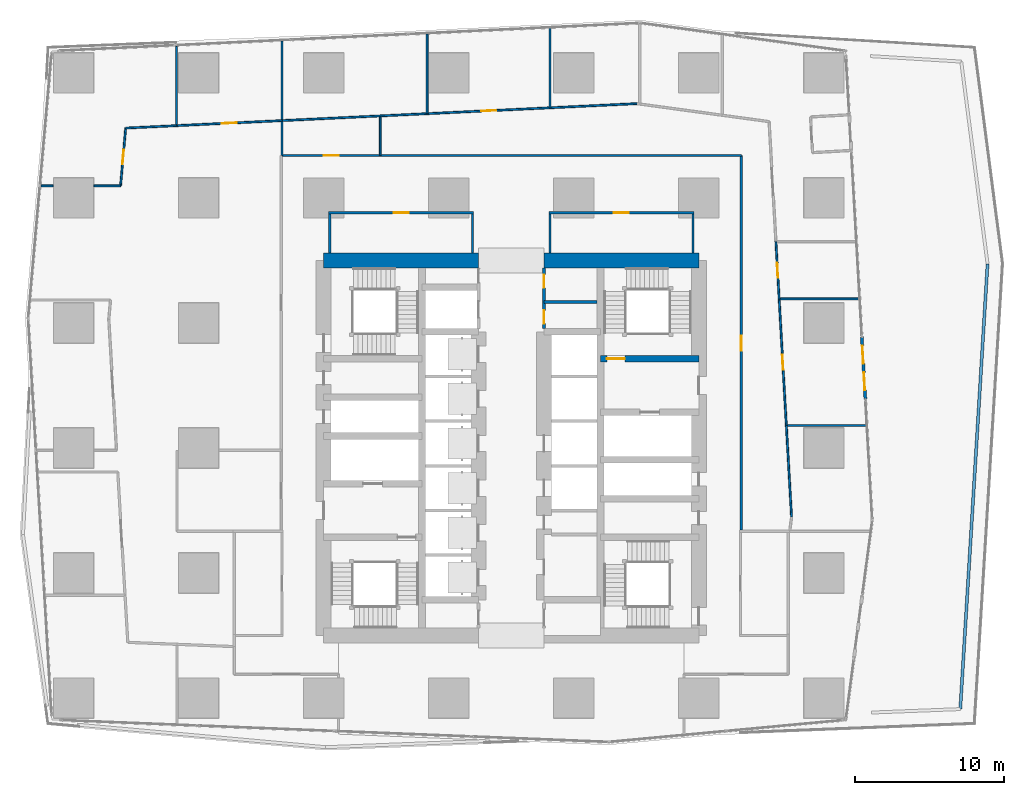
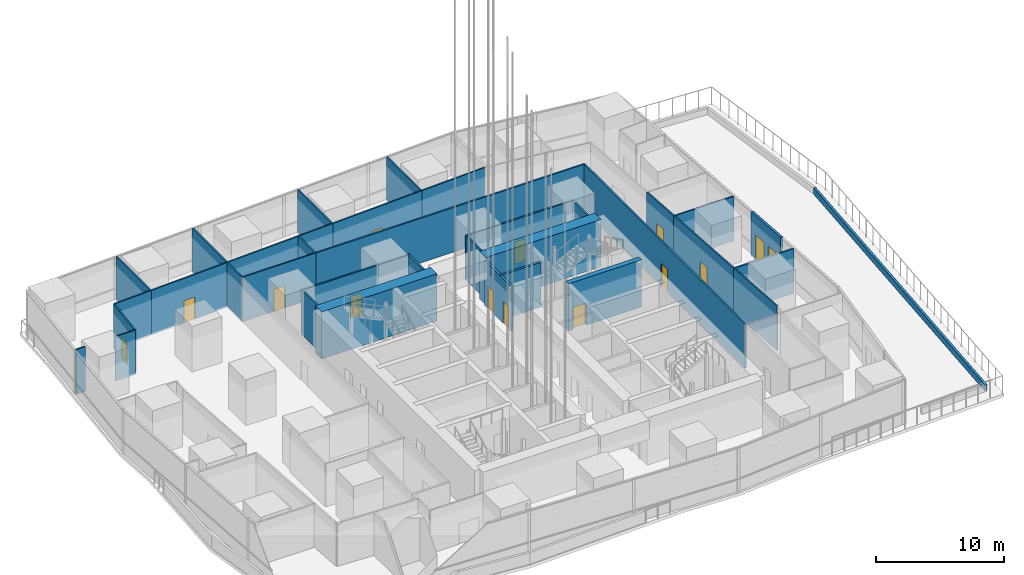
# One storey, part 17 of 39: 35 walls, 14 doors, 14 openings.
"""IFC4 building model written with IfcOpenShell, lengths in metres."""

from ifc_helpers import new_model, si_unit, direction, frame, frame_2d, origin, place, context, subcontext, project, spatial, rectangle, extrude, material, layer, layer_set, type_object, element, fill, save


model = new_model("IFC4")

# Units and contexts
model_context = context("Model", 3, precision=1e-05, world=origin(), true_north=direction((0.0, 1.0)))
body_context = subcontext(model_context, "Body", "Model", "MODEL_VIEW")
ifc_project = project(units=[si_unit("LENGTHUNIT", "METRE"), si_unit("AREAUNIT", "SQUARE_METRE"), si_unit("VOLUMEUNIT", "CUBIC_METRE"), si_unit("PLANEANGLEUNIT", "RADIAN"), si_unit("MASSUNIT", "GRAM", prefix="KILO")], contexts=[model_context])

# Site, building, storey
site_placement = place(None, origin())
site = spatial("IfcSite", under=ifc_project, at=site_placement, CompositionType="ELEMENT")
building_placement = place(site_placement, origin())
building = spatial("IfcBuilding", under=site, at=building_placement, Name="Rekha Terrace Tower", CompositionType="ELEMENT")
storey_placement = place(building_placement, frame((0.0, 0.0, 168.199951171875)))
storey = spatial("IfcBuildingStorey", under=building, at=storey_placement, Name="L42", CompositionType="ELEMENT", Elevation=168.199951171875)

# Wall, opening, door
ifc_material_1 = material(Name="Concrete M60", Category="concrete")
ifc_layer_1 = layer(ifc_material_1, 0.449951171875)
ifc_layer_set_1 = layer_set([ifc_layer_1], Name="Concrete M60")
wall_type_1 = type_object("IfcWallType", Name="CI3 450 core internal shear wall", PredefinedType="SHEAR", material=ifc_layer_set_1)
wall_1_placement = place(storey_placement, frame((43.800048828125, 39.60009765625, 0.0), z_axis=(0.0, 0.0, 1.0), x_axis=(1.0, 0.0, 0.0)))
wall_1 = element("IfcWall", 1, at=wall_1_placement, inside=storey, type_object=wall_type_1, Name="Core wall Y396E L42", PredefinedType="SHEAR", context=body_context, shape_type="SweptSolid", body=[
    extrude(rectangle(XDim=6.599853515625, YDim=0.449951171875, at=frame_2d((3.2998046875, 0.0))), origin(), (0.0, 0.0, 1.0), 4.5),
])
opening_1_placement = place(wall_1_placement, frame((0.425048828125, 0.0, 0.0)))
opening_1 = element("IfcOpeningElement", 2, at=opening_1_placement, cuts=wall_1, Name="Opening D1", PredefinedType="OPENING", context=body_context, shape_type="SweptSolid", body=[
    extrude(rectangle(XDim=1.199951171875, YDim=2.10009765625, at=frame_2d((0.60009765625, 1.050048828125))), frame((0.0, 0.23486328125, 0.0), z_axis=(0.0, -1.0, 0.0), x_axis=(1.0, 0.0, 0.0)), (0.0, 0.0, 1.0), 0.469970703125),
])
ifc_material_2 = material(Name="Steel fire door", Category="steel")
door_type_1 = type_object("IfcDoorType", Name="D1 1200x2100 stair fire door", OperationType="SINGLE_SWING_RIGHT", PredefinedType="DOOR", material=ifc_material_2)
door_1_placement = place(opening_1_placement, origin())
door_1 = element("IfcDoor", 3, at=door_1_placement, inside=storey, type_object=door_type_1, Name="Stair ST2 door L42", OperationType="SINGLE_SWING_RIGHT", OverallHeight=2.10009765625, OverallWidth=1.199951171875, PredefinedType="DOOR", context=body_context, shape_type="SweptSolid", body=[
    extrude(rectangle(XDim=1.199951171875, YDim=2.10009765625, at=frame_2d((0.60009765625, 1.050048828125))), frame((0.0, 0.02490234375, 0.0), z_axis=(0.0, -1.0, 0.0), x_axis=(1.0, 0.0, 0.0)), (0.0, 0.0, 1.0), 0.050048828125),
])
fill(opening_1, door_1)

# Wall, openings, doors
ifc_material_3 = material(Name="Aluminium-faced insulated screen wall", Category="aluminium")
ifc_layer_2 = layer(ifc_material_3, 0.199951171875)
ifc_layer_set_2 = layer_set([ifc_layer_2], Name="Aluminium-faced insulated screen wall")
wall_type_2 = type_object("IfcWallType", Name="EW3 terrace door screen wall 200", PredefinedType="SOLIDWALL", material=ifc_layer_set_2)
wall_2_placement = place(storey_placement, frame((61.587890625, 36.875, 0.0), z_axis=(0.0, 0.0, 1.0), x_axis=(-0.056674017107, 0.998392736244, 0.0)))
wall_2 = element("IfcWall", 4, at=wall_2_placement, inside=storey, type_object=wall_type_2, Name="Terrace door screen wall", PredefinedType="SOLIDWALL", context=body_context, shape_type="SweptSolid", body=[
    extrude(rectangle(XDim=4.2001953125, YDim=0.199951171875, at=frame_2d((2.10009765625, 0.0))), origin(), (0.0, 0.0, 1.0), 4.25),
])
opening_2_placement = place(wall_2_placement, frame((0.60009765625, 0.0, 0.0)))
opening_2 = element("IfcOpeningElement", 5, at=opening_2_placement, cuts=wall_2, Name="Opening ED4", PredefinedType="OPENING", context=body_context, shape_type="SweptSolid", body=[
    extrude(rectangle(XDim=1.199951171875, YDim=2.39990234375, at=frame_2d((0.60009765625, 1.199951171875))), frame((0.0, 0.10986328125, 0.0), z_axis=(0.0, -1.0, 0.0), x_axis=(1.0, 0.0, 0.0)), (0.0, 0.0, 1.0), 0.219970703125),
])
opening_3_placement = place(wall_2_placement, frame((2.39990234375, 0.0, 0.0)))
opening_3 = element("IfcOpeningElement", 6, at=opening_3_placement, cuts=wall_2, Name="Opening ED4", PredefinedType="OPENING", context=body_context, shape_type="SweptSolid", body=[
    extrude(rectangle(XDim=1.199951171875, YDim=2.39990234375, at=frame_2d((0.60009765625, 1.199951171875))), frame((0.0, 0.10986328125, 0.0), z_axis=(0.0, -1.0, 0.0), x_axis=(1.0, 0.0, 0.0)), (0.0, 0.0, 1.0), 0.219970703125),
])
ifc_material_4 = material(Name="Aluminium framed laminated glass door", Category="aluminium")
door_type_2 = type_object("IfcDoorType", Name="ED4 glazed terrace door 1200 x 2400", OperationType="SINGLE_SWING_LEFT", PredefinedType="DOOR", material=ifc_material_4)
door_2_placement = place(opening_2_placement, origin())
door_2 = element("IfcDoor", 7, at=door_2_placement, inside=storey, type_object=door_type_2, Name="Terrace door", OperationType="SINGLE_SWING_LEFT", OverallHeight=2.39990234375, OverallWidth=1.199951171875, PredefinedType="DOOR", context=body_context, shape_type="SweptSolid", body=[
    extrude(rectangle(XDim=1.199951171875, YDim=2.39990234375, at=frame_2d((0.60009765625, 1.199951171875))), frame((0.0, 0.02490234375, 0.0), z_axis=(0.0, -1.0, 0.0), x_axis=(1.0, 0.0, 0.0)), (0.0, 0.0, 1.0), 0.050048828125),
])
fill(opening_2, door_2)
door_3_placement = place(opening_3_placement, origin())
door_3 = element("IfcDoor", 8, at=door_3_placement, inside=storey, type_object=door_type_2, Name="Terrace door", OperationType="SINGLE_SWING_LEFT", OverallHeight=2.39990234375, OverallWidth=1.199951171875, PredefinedType="DOOR", context=body_context, shape_type="SweptSolid", body=[
    extrude(rectangle(XDim=1.199951171875, YDim=2.39990234375, at=frame_2d((0.60009765625, 1.199951171875))), frame((0.0, 0.02490234375, 0.0), z_axis=(0.0, -1.0, 0.0), x_axis=(1.0, 0.0, 0.0)), (0.0, 0.0, 1.0), 0.050048828125),
])
fill(opening_3, door_3)

# Walls
ifc_material_5 = material(Name="Concrete M40", Category="concrete")
ifc_layer_3 = layer(ifc_material_5, 0.199951171875)
ifc_layer_set_3 = layer_set([ifc_layer_3], Name="Concrete M40")
wall_type_3 = type_object("IfcWallType", Name="PL1 terrace planter wall 200", PredefinedType="USERDEFINED", material=ifc_layer_set_3)
wall_3_placement = place(storey_placement, frame((67.962890625, 16.060546875, 0.0), z_axis=(0.0, 0.0, 1.0), x_axis=(0.061161911914, 0.998127857807, 0.0)))
element("IfcWall", 9, at=wall_3_placement, inside=storey, type_object=wall_type_3, Name="Terrace planter", ObjectType="PLANTER", PredefinedType="USERDEFINED", context=body_context, shape_type="SweptSolid", body=[
    extrude(rectangle(XDim=29.9658203125, YDim=0.199951171875, at=frame_2d((14.98291015625, 0.0))), origin(), (0.0, 0.0, 1.0), 0.60009765625),
])
ifc_layer_4 = layer(ifc_material_1, 1.0)
ifc_layer_set_4 = layer_set([ifc_layer_4], Name="Concrete M60")
wall_type_4 = type_object("IfcWallType", Name="SW3 1000 core outer shear wall", PredefinedType="SHEAR", material=ifc_layer_set_4)
wall_4_placement = place(storey_placement, frame((25.199951171875, 46.199951171875, 0.0), z_axis=(0.0, 0.0, 1.0), x_axis=(1.0, 0.0, 0.0)))
element("IfcWall", 10, at=wall_4_placement, inside=storey, type_object=wall_type_4, Name="Core wall N1 L42", PredefinedType="SHEAR", context=body_context, shape_type="SweptSolid", body=[
    extrude(rectangle(XDim=10.400146484375, YDim=1.0, at=frame_2d((5.2001953125, 0.0))), origin(), (0.0, 0.0, 1.0), 4.5),
])
wall_5_placement = place(storey_placement, frame((40.0, 46.199951171875, 0.0), z_axis=(0.0, 0.0, 1.0), x_axis=(1.0, 0.0, 0.0)))
element("IfcWall", 11, at=wall_5_placement, inside=storey, type_object=wall_type_4, Name="Core wall N2 L42", PredefinedType="SHEAR", context=body_context, shape_type="SweptSolid", body=[
    extrude(rectangle(XDim=10.39990234375, YDim=1.0, at=frame_2d((5.199951171875, 0.0))), origin(), (0.0, 0.0, 1.0), 4.5),
])

# Wall, opening, door
ifc_material_6 = material(Name="Concrete block masonry, 1 hour", Category="masonry")
ifc_layer_5 = layer(ifc_material_6, 0.14990234375)
ifc_layer_set_5 = layer_set([ifc_layer_5], Name="Concrete block masonry, 1 hour")
wall_type_5 = type_object("IfcWallType", Name="WP2 150 tenancy partition", PredefinedType="PARTITIONING", material=ifc_layer_set_5)
wall_6_placement = place(storey_placement, frame((40.324951171875, 49.39990234375, 0.0), z_axis=(0.0, 0.0, 1.0), x_axis=(1.0, 0.0, 0.0)))
wall_6 = element("IfcWall", 12, at=wall_6_placement, inside=storey, type_object=wall_type_5, Name="Women's WC wall L42", PredefinedType="PARTITIONING", context=body_context, shape_type="SweptSolid", body=[
    extrude(rectangle(XDim=9.75, YDim=0.14990234375, at=frame_2d((4.875, 0.0))), origin(), (0.0, 0.0, 1.0), 4.25),
])
opening_4_placement = place(wall_6_placement, frame((4.375, 0.0, 0.0)))
opening_4 = element("IfcOpeningElement", 13, at=opening_4_placement, cuts=wall_6, Name="Opening D3", PredefinedType="OPENING", context=body_context, shape_type="SweptSolid", body=[
    extrude(rectangle(XDim=1.0, YDim=2.10009765625, at=frame_2d((0.5, 1.050048828125))), frame((0.0, 0.0849609375, 0.0), z_axis=(0.0, -1.0, 0.0), x_axis=(1.0, 0.0, 0.0)), (0.0, 0.0, 1.0), 0.169921875),
])
ifc_material_7 = material(Name="Laminated timber fire door", Category="wood")
door_type_3 = type_object("IfcDoorType", Name="D3 1000x2100 WC door", OperationType="SINGLE_SWING_LEFT", PredefinedType="DOOR", material=ifc_material_7)
door_4_placement = place(opening_4_placement, origin())
door_4 = element("IfcDoor", 14, at=door_4_placement, inside=storey, type_object=door_type_3, Name="Door women's wc L42", OperationType="SINGLE_SWING_LEFT", OverallHeight=2.10009765625, OverallWidth=1.0, PredefinedType="DOOR", context=body_context, shape_type="SweptSolid", body=[
    extrude(rectangle(XDim=1.0, YDim=2.10009765625, at=frame_2d((0.5, 1.050048828125))), frame((0.0, 0.02490234375, 0.0), z_axis=(0.0, -1.0, 0.0), x_axis=(1.0, 0.0, 0.0)), (0.0, 0.0, 1.0), 0.050048828125),
])
fill(opening_4, door_4)

# Walls
for number, where, z_axis, x_axis, name in (
    (15, (40.39990234375, 46.699951171875, 0.0), (0.0, 0.0, 1.0), (0.0, 1.0, 0.0), "Women's WC wall L42"),
    (16, (50.0, 46.699951171875, 0.0), (0.0, 0.0, 1.0), (0.0, 1.0, 0.0), "Women's WC wall L42"),
):
    element("IfcWall", number, at=place(storey_placement, frame(where, z_axis=z_axis, x_axis=x_axis)), inside=storey, type_object=wall_type_5, Name=name, PredefinedType="PARTITIONING", context=body_context, shape_type="SweptSolid", body=[
        extrude(rectangle(XDim=2.625, YDim=0.14990234375, at=frame_2d((1.3125, 0.0))), origin(), (0.0, 0.0, 1.0), 4.25),
    ])

# Wall, opening, door
wall_7_placement = place(storey_placement, frame((25.52490234375, 49.39990234375, 0.0), z_axis=(0.0, 0.0, 1.0), x_axis=(1.0, 0.0, 0.0)))
wall_7 = element("IfcWall", 17, at=wall_7_placement, inside=storey, type_object=wall_type_5, Name="Women's WC wall L42", PredefinedType="PARTITIONING", context=body_context, shape_type="SweptSolid", body=[
    extrude(rectangle(XDim=9.75, YDim=0.14990234375, at=frame_2d((4.875, 0.0))), origin(), (0.0, 0.0, 1.0), 4.25),
])
opening_5_placement = place(wall_7_placement, frame((4.375, 0.0, 0.0)))
opening_5 = element("IfcOpeningElement", 18, at=opening_5_placement, cuts=wall_7, Name="Opening D3", PredefinedType="OPENING", context=body_context, shape_type="SweptSolid", body=[
    extrude(rectangle(XDim=1.0, YDim=2.10009765625, at=frame_2d((0.5, 1.050048828125))), frame((0.0, 0.0849609375, 0.0), z_axis=(0.0, -1.0, 0.0), x_axis=(1.0, 0.0, 0.0)), (0.0, 0.0, 1.0), 0.169921875),
])
door_5_placement = place(opening_5_placement, origin())
door_5 = element("IfcDoor", 19, at=door_5_placement, inside=storey, type_object=door_type_3, Name="Door women's wc L42", OperationType="SINGLE_SWING_LEFT", OverallHeight=2.10009765625, OverallWidth=1.0, PredefinedType="DOOR", context=body_context, shape_type="SweptSolid", body=[
    extrude(rectangle(XDim=1.0, YDim=2.10009765625, at=frame_2d((0.5, 1.050048828125))), frame((0.0, 0.02490234375, 0.0), z_axis=(0.0, -1.0, 0.0), x_axis=(1.0, 0.0, 0.0)), (0.0, 0.0, 1.0), 0.050048828125),
])
fill(opening_5, door_5)

# Walls
for number, where, z_axis, x_axis, name in (
    (20, (25.60009765625, 46.699951171875, 0.0), (0.0, 0.0, 1.0), (0.0, 1.0, 0.0), "Women's WC wall L42"),
    (21, (35.199951171875, 46.699951171875, 0.0), (0.0, 0.0, 1.0), (0.0, 1.0, 0.0), "Women's WC wall L42"),
):
    element("IfcWall", number, at=place(storey_placement, frame(where, z_axis=z_axis, x_axis=x_axis)), inside=storey, type_object=wall_type_5, Name=name, PredefinedType="PARTITIONING", context=body_context, shape_type="SweptSolid", body=[
        extrude(rectangle(XDim=2.625, YDim=0.14990234375, at=frame_2d((1.3125, 0.0))), origin(), (0.0, 0.0, 1.0), 4.25),
    ])
wall_8_placement = place(storey_placement, frame((56.342041015625, 35.10693359375, 0.0), z_axis=(0.0, 0.0, 1.0), x_axis=(1.0, 0.0, 0.0)))
element("IfcWall", 22, at=wall_8_placement, inside=storey, type_object=wall_type_5, Name="Partition L42-O2", PredefinedType="PARTITIONING", context=body_context, shape_type="SweptSolid", body=[
    extrude(rectangle(XDim=5.2958984375, YDim=0.14990234375, at=frame_2d((2.64794921875, 0.0))), origin(), (0.0, 0.0, 1.0), 4.25),
])

# Wall, opening, door
wall_9_placement = place(storey_placement, frame((53.25, 28.074951171875, 0.0), z_axis=(0.0, 0.0, 1.0), x_axis=(0.0, 1.0, 0.0)))
wall_9 = element("IfcWall", 23, at=wall_9_placement, inside=storey, type_object=wall_type_5, Name="Partition L42-O2", PredefinedType="PARTITIONING", context=body_context, shape_type="SweptSolid", body=[
    extrude(rectangle(XDim=25.175048828125, YDim=0.14990234375, at=frame_2d((12.58740234375, 0.0))), origin(), (0.0, 0.0, 1.0), 4.25),
])
opening_6_placement = place(wall_9_placement, frame((12.051025390625, 0.0, 0.0)))
opening_6 = element("IfcOpeningElement", 24, at=opening_6_placement, cuts=wall_9, Name="Opening D9", PredefinedType="OPENING", context=body_context, shape_type="SweptSolid", body=[
    extrude(rectangle(XDim=1.0, YDim=2.10009765625, at=frame_2d((0.5, 1.050048828125))), frame((0.0, 0.0849609375, 0.0), z_axis=(0.0, -1.0, 0.0), x_axis=(1.0, 0.0, 0.0)), (0.0, 0.0, 1.0), 0.169921875),
])
ifc_material_8 = material(Name="Timber fire door", Category="wood")
door_type_4 = type_object("IfcDoorType", Name="D9 1000x2100 office door", OperationType="SINGLE_SWING_LEFT", PredefinedType="DOOR", material=ifc_material_8)
door_6_placement = place(opening_6_placement, origin())
door_6 = element("IfcDoor", 25, at=door_6_placement, inside=storey, type_object=door_type_4, Name="Door open-plan office L42", OperationType="SINGLE_SWING_LEFT", OverallHeight=2.10009765625, OverallWidth=1.0, PredefinedType="DOOR", context=body_context, shape_type="SweptSolid", body=[
    extrude(rectangle(XDim=1.0, YDim=2.10009765625, at=frame_2d((0.5, 1.050048828125))), frame((0.0, 0.02490234375, 0.0), z_axis=(0.0, -1.0, 0.0), x_axis=(1.0, 0.0, 0.0)), (0.0, 0.0, 1.0), 0.050048828125),
])
fill(opening_6, door_6)

# Walls
wall_10_placement = place(storey_placement, frame((53.25, 53.25, 0.0), z_axis=(0.0, 0.0, 1.0), x_axis=(-1.0, 0.0, 0.0)))
element("IfcWall", 26, at=wall_10_placement, inside=storey, type_object=wall_type_5, Name="Partition L42-O2", PredefinedType="PARTITIONING", context=body_context, shape_type="SweptSolid", body=[
    extrude(rectangle(XDim=24.248046875, YDim=0.14990234375, at=frame_2d((12.1240234375, 0.0))), origin(), (0.0, 0.0, 1.0), 4.25),
])
wall_11_placement = place(storey_placement, frame((22.40087890625, 55.654052734375, 0.0), z_axis=(0.0, 0.0, 1.0), x_axis=(0.0, 1.0, 0.0)))
element("IfcWall", 27, at=wall_11_placement, inside=storey, type_object=wall_type_5, Name="Partition L42-O2b", PredefinedType="PARTITIONING", context=body_context, shape_type="SweptSolid", body=[
    extrude(rectangle(XDim=5.2939453125, YDim=0.14990234375, at=frame_2d((2.64697265625, 0.0))), origin(), (0.0, 0.0, 1.0), 4.25),
])
ifc_material_9 = material(Name="Two layers of fire-rated gypsum board each side on steel studs, acoustic quilt, 1 hour", Category="steel")
ifc_layer_6 = layer(ifc_material_9, 0.125)
ifc_layer_set_6 = layer_set([ifc_layer_6], Name="Two layers of fire-rated gypsum board each side on steel studs, acoustic quilt, 1 hour")
wall_type_6 = type_object("IfcWallType", Name="WP3 125 office partition", PredefinedType="PARTITIONING", material=ifc_layer_set_6)
wall_12_placement = place(storey_placement, frame((56.62890625, 28.950927734375, 0.0), z_axis=(0.0, 0.0, 1.0), x_axis=(-0.056721758154, 0.998390025066, 0.0)))
element("IfcWall", 28, at=wall_12_placement, inside=storey, type_object=wall_type_6, Name="Partition L42-06", PredefinedType="PARTITIONING", context=body_context, shape_type="SweptSolid", body=[
    extrude(rectangle(XDim=6.16796875, YDim=0.125, at=frame_2d((3.083984375, 0.0))), origin(), (0.0, 0.0, 1.0), 4.25),
])

# Wall, opening, door
wall_13_placement = place(storey_placement, frame((56.279052734375, 35.10888671875, 0.0), z_axis=(0.0, 0.0, 1.0), x_axis=(-0.056683540039, 0.998392195627, 0.0)))
wall_13 = element("IfcWall", 29, at=wall_13_placement, inside=storey, type_object=wall_type_6, Name="Partition L42-06", PredefinedType="PARTITIONING", context=body_context, shape_type="SweptSolid", body=[
    extrude(rectangle(XDim=8.523681640625, YDim=0.125, at=frame_2d((4.26171875, 0.0))), origin(), (0.0, 0.0, 1.0), 4.25),
])
opening_7_placement = place(wall_13_placement, frame((3.761962890625, 0.0, 0.0)))
opening_7 = element("IfcOpeningElement", 30, at=opening_7_placement, cuts=wall_13, Name="Opening D9", PredefinedType="OPENING", context=body_context, shape_type="SweptSolid", body=[
    extrude(rectangle(XDim=1.0, YDim=2.10009765625, at=frame_2d((0.5, 1.050048828125))), frame((0.0, 0.072509765625, 0.0), z_axis=(0.0, -1.0, 0.0), x_axis=(1.0, 0.0, 0.0)), (0.0, 0.0, 1.0), 0.14501953125),
])
door_7_placement = place(opening_7_placement, origin())
door_7 = element("IfcDoor", 31, at=door_7_placement, inside=storey, type_object=door_type_4, Name="Door office L42", OperationType="SINGLE_SWING_LEFT", OverallHeight=2.10009765625, OverallWidth=1.0, PredefinedType="DOOR", context=body_context, shape_type="SweptSolid", body=[
    extrude(rectangle(XDim=1.0, YDim=2.10009765625, at=frame_2d((0.5, 1.050048828125))), frame((0.0, 0.02490234375, 0.0), z_axis=(0.0, -1.0, 0.0), x_axis=(1.0, 0.0, 0.0)), (0.0, 0.0, 1.0), 0.050048828125),
])
fill(opening_7, door_7)

# Wall
wall_14_placement = place(storey_placement, frame((55.7958984375, 43.618896484375, 0.0), z_axis=(0.0, 0.0, 1.0), x_axis=(1.0, 0.0, 0.0)))
element("IfcWall", 32, at=wall_14_placement, inside=storey, type_object=wall_type_6, Name="Partition L42-06", PredefinedType="PARTITIONING", context=body_context, shape_type="SweptSolid", body=[
    extrude(rectangle(XDim=5.3291015625, YDim=0.125, at=frame_2d((2.66455078125, 0.0))), origin(), (0.0, 0.0, 1.0), 4.25),
])

# Wall, opening, door
wall_15_placement = place(storey_placement, frame((55.7958984375, 43.6201171875, 0.0), z_axis=(0.0, 0.0, 1.0), x_axis=(-0.056502541605, 0.998402455322, 0.0)))
wall_15 = element("IfcWall", 33, at=wall_15_placement, inside=storey, type_object=wall_type_6, Name="Partition L42-07", PredefinedType="PARTITIONING", context=body_context, shape_type="SweptSolid", body=[
    extrude(rectangle(XDim=3.8369140625, YDim=0.125, at=frame_2d((1.91845703125, 0.0))), origin(), (0.0, 0.0, 1.0), 4.25),
])
opening_8_placement = place(wall_15_placement, frame((1.4189453125, 0.0, 0.0)))
opening_8 = element("IfcOpeningElement", 34, at=opening_8_placement, cuts=wall_15, Name="Opening D9", PredefinedType="OPENING", context=body_context, shape_type="SweptSolid", body=[
    extrude(rectangle(XDim=1.0, YDim=2.10009765625, at=frame_2d((0.5, 1.050048828125))), frame((0.0, 0.072509765625, 0.0), z_axis=(0.0, -1.0, 0.0), x_axis=(1.0, 0.0, 0.0)), (0.0, 0.0, 1.0), 0.14501953125),
])
door_8_placement = place(opening_8_placement, origin())
door_8 = element("IfcDoor", 35, at=door_8_placement, inside=storey, type_object=door_type_4, Name="Door office L42", OperationType="SINGLE_SWING_LEFT", OverallHeight=2.10009765625, OverallWidth=1.0, PredefinedType="DOOR", context=body_context, shape_type="SweptSolid", body=[
    extrude(rectangle(XDim=1.0, YDim=2.10009765625, at=frame_2d((0.5, 1.050048828125))), frame((0.0, 0.02490234375, 0.0), z_axis=(0.0, -1.0, 0.0), x_axis=(1.0, 0.0, 0.0)), (0.0, 0.0, 1.0), 0.050048828125),
])
fill(opening_8, door_8)

# Walls
wall_16_placement = place(storey_placement, frame((40.40087890625, 56.451904296875, 0.0), z_axis=(0.0, 0.0, 1.0), x_axis=(0.0, 1.0, 0.0)))
element("IfcWall", 36, at=wall_16_placement, inside=storey, type_object=wall_type_6, Name="Partition L42-08", PredefinedType="PARTITIONING", context=body_context, shape_type="SweptSolid", body=[
    extrude(rectangle(XDim=5.357177734375, YDim=0.125, at=frame_2d((2.6787109375, 0.0))), origin(), (0.0, 0.0, 1.0), 4.25),
])
wall_17_placement = place(storey_placement, frame((46.241943359375, 56.73193359375, 0.0), z_axis=(0.0, 0.0, 1.0), x_axis=(-0.998852784245, -0.047886484578, 0.0)))
element("IfcWall", 37, at=wall_17_placement, inside=storey, type_object=wall_type_6, Name="Partition L42-08", PredefinedType="PARTITIONING", context=body_context, shape_type="SweptSolid", body=[
    extrude(rectangle(XDim=5.84765625, YDim=0.125, at=frame_2d((2.923828125, 0.0))), origin(), (0.0, 0.0, 1.0), 4.25),
])

# Wall, opening, door
wall_18_placement = place(storey_placement, frame((40.39990234375, 56.451904296875, 0.0), z_axis=(0.0, 0.0, 1.0), x_axis=(-0.998862445467, -0.047684536656, 0.0)))
wall_18 = element("IfcWall", 38, at=wall_18_placement, inside=storey, type_object=wall_type_6, Name="Partition L42-09", PredefinedType="PARTITIONING", context=body_context, shape_type="SweptSolid", body=[
    extrude(rectangle(XDim=8.25830078125, YDim=0.125, at=frame_2d((4.129150390625, 0.0))), origin(), (0.0, 0.0, 1.0), 4.25),
])
opening_9_placement = place(wall_18_placement, frame((3.62890625, 0.0, 0.0)))
opening_9 = element("IfcOpeningElement", 39, at=opening_9_placement, cuts=wall_18, Name="Opening D9", PredefinedType="OPENING", context=body_context, shape_type="SweptSolid", body=[
    extrude(rectangle(XDim=1.0, YDim=2.10009765625, at=frame_2d((0.5, 1.050048828125))), frame((0.0, 0.072509765625, 0.0), z_axis=(0.0, -1.0, 0.0), x_axis=(1.0, 0.0, 0.0)), (0.0, 0.0, 1.0), 0.14501953125),
])
door_9_placement = place(opening_9_placement, origin())
door_9 = element("IfcDoor", 40, at=door_9_placement, inside=storey, type_object=door_type_4, Name="Door office L42", OperationType="SINGLE_SWING_LEFT", OverallHeight=2.10009765625, OverallWidth=1.0, PredefinedType="DOOR", context=body_context, shape_type="SweptSolid", body=[
    extrude(rectangle(XDim=1.0, YDim=2.10009765625, at=frame_2d((0.5, 1.050048828125))), frame((0.0, 0.02490234375, 0.0), z_axis=(0.0, -1.0, 0.0), x_axis=(1.0, 0.0, 0.0)), (0.0, 0.0, 1.0), 0.050048828125),
])
fill(opening_9, door_9)

# Walls
wall_19_placement = place(storey_placement, frame((32.15087890625, 56.05810546875, 0.0), z_axis=(0.0, 0.0, 1.0), x_axis=(0.0, 1.0, 0.0)))
element("IfcWall", 41, at=wall_19_placement, inside=storey, type_object=wall_type_6, Name="Partition L42-09", PredefinedType="PARTITIONING", context=body_context, shape_type="SweptSolid", body=[
    extrude(rectangle(XDim=5.35595703125, YDim=0.125, at=frame_2d((2.677978515625, 0.0))), origin(), (0.0, 0.0, 1.0), 4.25),
])
wall_20_placement = place(storey_placement, frame((32.14990234375, 56.05810546875, 0.0), z_axis=(0.0, 0.0, 1.0), x_axis=(-0.998858721721, -0.047762475259, 0.0)))
element("IfcWall", 42, at=wall_20_placement, inside=storey, type_object=wall_type_6, Name="Partition L42-10", PredefinedType="PARTITIONING", context=body_context, shape_type="SweptSolid", body=[
    extrude(rectangle(XDim=9.758056640625, YDim=0.125, at=frame_2d((4.87890625, 0.0))), origin(), (0.0, 0.0, 1.0), 4.25),
])

# Wall, opening, door
wall_21_placement = place(storey_placement, frame((22.403076171875, 55.592041015625, 0.0), z_axis=(0.0, 0.0, 1.0), x_axis=(-0.998856898281, -0.047800593685, 0.0)))
wall_21 = element("IfcWall", 43, at=wall_21_placement, inside=storey, type_object=wall_type_6, Name="Partition L42-10", PredefinedType="PARTITIONING", context=body_context, shape_type="SweptSolid", body=[
    extrude(rectangle(XDim=7.09423828125, YDim=0.125, at=frame_2d((3.547119140625, 0.0))), origin(), (0.0, 0.0, 1.0), 4.25),
])
opening_10_placement = place(wall_21_placement, frame((3.047119140625, 0.0, 0.0)))
opening_10 = element("IfcOpeningElement", 44, at=opening_10_placement, cuts=wall_21, Name="Opening D9", PredefinedType="OPENING", context=body_context, shape_type="SweptSolid", body=[
    extrude(rectangle(XDim=1.0, YDim=2.10009765625, at=frame_2d((0.5, 1.050048828125))), frame((0.0, 0.072509765625, 0.0), z_axis=(0.0, -1.0, 0.0), x_axis=(1.0, 0.0, 0.0)), (0.0, 0.0, 1.0), 0.14501953125),
])
door_10_placement = place(opening_10_placement, origin())
door_10 = element("IfcDoor", 45, at=door_10_placement, inside=storey, type_object=door_type_4, Name="Door office L42", OperationType="SINGLE_SWING_LEFT", OverallHeight=2.10009765625, OverallWidth=1.0, PredefinedType="DOOR", context=body_context, shape_type="SweptSolid", body=[
    extrude(rectangle(XDim=1.0, YDim=2.10009765625, at=frame_2d((0.5, 1.050048828125))), frame((0.0, 0.02490234375, 0.0), z_axis=(0.0, -1.0, 0.0), x_axis=(1.0, 0.0, 0.0)), (0.0, 0.0, 1.0), 0.050048828125),
])
fill(opening_10, door_10)

# Walls
wall_22_placement = place(storey_placement, frame((15.31689453125, 55.2529296875, 0.0), z_axis=(0.0, 0.0, 1.0), x_axis=(0.0, 1.0, 0.0)))
element("IfcWall", 46, at=wall_22_placement, inside=storey, type_object=wall_type_6, Name="Partition L42-10", PredefinedType="PARTITIONING", context=body_context, shape_type="SweptSolid", body=[
    extrude(rectangle(XDim=5.3271484375, YDim=0.125, at=frame_2d((2.66357421875, 0.0))), origin(), (0.0, 0.0, 1.0), 4.25),
])
wall_23_placement = place(storey_placement, frame((11.555908203125, 51.2080078125, 0.0), z_axis=(0.0, 0.0, 1.0), x_axis=(-1.0, 0.0, 0.0)))
element("IfcWall", 47, at=wall_23_placement, inside=storey, type_object=wall_type_6, Name="Partition L42-11", PredefinedType="PARTITIONING", context=body_context, shape_type="SweptSolid", body=[
    extrude(rectangle(XDim=1.785888671875, YDim=0.125, at=frame_2d((0.89306640625, 0.0))), origin(), (0.0, 0.0, 1.0), 4.25),
])
wall_24_placement = place(storey_placement, frame((7.030029296875, 51.2080078125, 0.0), z_axis=(0.0, 0.0, 1.0), x_axis=(-1.0, 0.0, 0.0)))
element("IfcWall", 48, at=wall_24_placement, inside=storey, type_object=wall_type_6, Name="Partition L42-11", PredefinedType="PARTITIONING", context=body_context, shape_type="SweptSolid", body=[
    extrude(rectangle(XDim=0.81494140625, YDim=0.125, at=frame_2d((0.407470703125, 0.0))), origin(), (0.0, 0.0, 1.0), 4.25),
])
wall_25_placement = place(storey_placement, frame((15.31591796875, 55.2529296875, 0.0), z_axis=(0.0, 0.0, 1.0), x_axis=(-0.998866360902, -0.047602448037, 0.0)))
element("IfcWall", 49, at=wall_25_placement, inside=storey, type_object=wall_type_6, Name="Partition L42-11", PredefinedType="PARTITIONING", context=body_context, shape_type="SweptSolid", body=[
    extrude(rectangle(XDim=3.4208984375, YDim=0.125, at=frame_2d((1.71044921875, 0.0))), origin(), (0.0, 0.0, 1.0), 4.25),
])

# Wall, opening, door
wall_26_placement = place(storey_placement, frame((11.89892578125, 55.090087890625, 0.0), z_axis=(0.0, 0.0, 1.0), x_axis=(-0.088016303569, -0.996119034205, 0.0)))
wall_26 = element("IfcWall", 50, at=wall_26_placement, inside=storey, type_object=wall_type_6, Name="Partition L42-11", PredefinedType="PARTITIONING", context=body_context, shape_type="SweptSolid", body=[
    extrude(rectangle(XDim=3.897216796875, YDim=0.125, at=frame_2d((1.94873046875, 0.0))), origin(), (0.0, 0.0, 1.0), 4.25),
])
opening_11_placement = place(wall_26_placement, frame((1.448974609375, 0.0, 0.0)))
opening_11 = element("IfcOpeningElement", 51, at=opening_11_placement, cuts=wall_26, Name="Opening D9", PredefinedType="OPENING", context=body_context, shape_type="SweptSolid", body=[
    extrude(rectangle(XDim=1.0, YDim=2.10009765625, at=frame_2d((0.5, 1.050048828125))), frame((0.0, 0.072509765625, 0.0), z_axis=(0.0, -1.0, 0.0), x_axis=(1.0, 0.0, 0.0)), (0.0, 0.0, 1.0), 0.14501953125),
])
door_11_placement = place(opening_11_placement, origin())
door_11 = element("IfcDoor", 52, at=door_11_placement, inside=storey, type_object=door_type_4, Name="Door director's office L42", OperationType="SINGLE_SWING_LEFT", OverallHeight=2.10009765625, OverallWidth=1.0, PredefinedType="DOOR", context=body_context, shape_type="SweptSolid", body=[
    extrude(rectangle(XDim=1.0, YDim=2.10009765625, at=frame_2d((0.5, 1.050048828125))), frame((0.0, 0.02490234375, 0.0), z_axis=(0.0, -1.0, 0.0), x_axis=(1.0, 0.0, 0.0)), (0.0, 0.0, 1.0), 0.050048828125),
])
fill(opening_11, door_11)

wall_27_placement = place(storey_placement, frame((29.001953125, 53.25, 0.0), z_axis=(0.0, 0.0, 1.0), x_axis=(-1.0, 0.0, 0.0)))
wall_27 = element("IfcWall", 53, at=wall_27_placement, inside=storey, type_object=wall_type_6, Name="Partition L42-13", PredefinedType="PARTITIONING", context=body_context, shape_type="SweptSolid", body=[
    extrude(rectangle(XDim=6.599853515625, YDim=0.125, at=frame_2d((3.2998046875, 0.0))), origin(), (0.0, 0.0, 1.0), 4.25),
])
opening_12_placement = place(wall_27_placement, frame((2.800048828125, 0.0, 0.0)))
opening_12 = element("IfcOpeningElement", 54, at=opening_12_placement, cuts=wall_27, Name="Opening D9", PredefinedType="OPENING", context=body_context, shape_type="SweptSolid", body=[
    extrude(rectangle(XDim=1.0, YDim=2.10009765625, at=frame_2d((0.5, 1.050048828125))), frame((0.0, 0.072509765625, 0.0), z_axis=(0.0, -1.0, 0.0), x_axis=(1.0, 0.0, 0.0)), (0.0, 0.0, 1.0), 0.14501953125),
])
door_12_placement = place(opening_12_placement, origin())
door_12 = element("IfcDoor", 55, at=door_12_placement, inside=storey, type_object=door_type_4, Name="Door reception L42", OperationType="SINGLE_SWING_LEFT", OverallHeight=2.10009765625, OverallWidth=1.0, PredefinedType="DOOR", context=body_context, shape_type="SweptSolid", body=[
    extrude(rectangle(XDim=1.0, YDim=2.10009765625, at=frame_2d((0.5, 1.050048828125))), frame((0.0, 0.02490234375, 0.0), z_axis=(0.0, -1.0, 0.0), x_axis=(1.0, 0.0, 0.0)), (0.0, 0.0, 1.0), 0.050048828125),
])
fill(opening_12, door_12)

# Walls
wall_28_placement = place(storey_placement, frame((22.402099609375, 53.25, 0.0), z_axis=(0.0, 0.0, 1.0), x_axis=(0.0, 1.0, 0.0)))
element("IfcWall", 56, at=wall_28_placement, inside=storey, type_object=wall_type_6, Name="Partition L42-13", PredefinedType="PARTITIONING", context=body_context, shape_type="SweptSolid", body=[
    extrude(rectangle(XDim=2.279052734375, YDim=0.125, at=frame_2d((1.1396484375, 0.0))), origin(), (0.0, 0.0, 1.0), 4.25),
])
wall_29_placement = place(storey_placement, frame((29.001953125, 55.844970703125, 0.0), z_axis=(0.0, 0.0, 1.0), x_axis=(0.0, -1.0, 0.0)))
element("IfcWall", 57, at=wall_29_placement, inside=storey, type_object=wall_type_6, Name="Partition L42-13", PredefinedType="PARTITIONING", context=body_context, shape_type="SweptSolid", body=[
    extrude(rectangle(XDim=2.594970703125, YDim=0.125, at=frame_2d((1.29736328125, 0.0))), origin(), (0.0, 0.0, 1.0), 4.25),
])

# Wall, openings, doors
ifc_material_10 = material(Name="Solid concrete block masonry, 2 hour", Category="masonry")
ifc_layer_7 = layer(ifc_material_10, 0.199951171875)
ifc_layer_set_7 = layer_set([ifc_layer_7], Name="Solid concrete block masonry, 2 hour")
wall_type_7 = type_object("IfcWallType", Name="WS1 200 stair and shaft enclosure", PredefinedType="PARTITIONING", material=ifc_layer_set_7)
wall_30_placement = place(storey_placement, frame((40.0, 41.625, 0.0), z_axis=(0.0, 0.0, 1.0), x_axis=(0.0, 1.0, 0.0)))
wall_30 = element("IfcWall", 58, at=wall_30_placement, inside=storey, type_object=wall_type_7, Name="Core partition elec L42", PredefinedType="PARTITIONING", context=body_context, shape_type="SweptSolid", body=[
    extrude(rectangle(XDim=4.074951171875, YDim=0.199951171875, at=frame_2d((2.03759765625, 0.0))), origin(), (0.0, 0.0, 1.0), 4.25),
])
opening_13_placement = place(wall_30_placement, frame((2.72509765625, 0.0, 0.0)))
opening_13 = element("IfcOpeningElement", 59, at=opening_13_placement, cuts=wall_30, Name="Opening D5", PredefinedType="OPENING", context=body_context, shape_type="SweptSolid", body=[
    extrude(rectangle(XDim=0.89990234375, YDim=2.10009765625, at=frame_2d((0.449951171875, 1.050048828125))), frame((0.0, 0.10986328125, 0.0), z_axis=(0.0, -1.0, 0.0), x_axis=(1.0, 0.0, 0.0)), (0.0, 0.0, 1.0), 0.219970703125),
])
opening_14_placement = place(wall_30_placement, frame((0.324951171875, 0.0, 0.0)))
opening_14 = element("IfcOpeningElement", 60, at=opening_14_placement, cuts=wall_30, Name="Opening D5", PredefinedType="OPENING", context=body_context, shape_type="SweptSolid", body=[
    extrude(rectangle(XDim=0.89990234375, YDim=2.10009765625, at=frame_2d((0.449951171875, 1.050048828125))), frame((0.0, 0.10986328125, 0.0), z_axis=(0.0, -1.0, 0.0), x_axis=(1.0, 0.0, 0.0)), (0.0, 0.0, 1.0), 0.219970703125),
])
door_type_5 = type_object("IfcDoorType", Name="D5 900x2100 riser access door", OperationType="SINGLE_SWING_LEFT", PredefinedType="DOOR", material=ifc_material_2)
door_13_placement = place(opening_13_placement, origin())
door_13 = element("IfcDoor", 61, at=door_13_placement, inside=storey, type_object=door_type_5, Name="Door electrical room L42", OperationType="SINGLE_SWING_LEFT", OverallHeight=2.10009765625, OverallWidth=0.89990234375, PredefinedType="DOOR", context=body_context, shape_type="SweptSolid", body=[
    extrude(rectangle(XDim=0.89990234375, YDim=2.10009765625, at=frame_2d((0.449951171875, 1.050048828125))), frame((0.0, 0.02490234375, 0.0), z_axis=(0.0, -1.0, 0.0), x_axis=(1.0, 0.0, 0.0)), (0.0, 0.0, 1.0), 0.050048828125),
])
fill(opening_13, door_13)
door_14_placement = place(opening_14_placement, origin())
door_14 = element("IfcDoor", 62, at=door_14_placement, inside=storey, type_object=door_type_5, Name="Door records store L42", OperationType="SINGLE_SWING_LEFT", OverallHeight=2.10009765625, OverallWidth=0.89990234375, PredefinedType="DOOR", context=body_context, shape_type="SweptSolid", body=[
    extrude(rectangle(XDim=0.89990234375, YDim=2.10009765625, at=frame_2d((0.449951171875, 1.050048828125))), frame((0.0, 0.02490234375, 0.0), z_axis=(0.0, -1.0, 0.0), x_axis=(1.0, 0.0, 0.0)), (0.0, 0.0, 1.0), 0.050048828125),
])
fill(opening_14, door_14)

# Wall
wall_31_placement = place(storey_placement, frame((40.0, 43.39990234375, 0.0), z_axis=(0.0, 0.0, 1.0), x_axis=(1.0, 0.0, 0.0)))
element("IfcWall", 63, at=wall_31_placement, inside=storey, type_object=wall_type_7, Name="Core partition elx L42", PredefinedType="PARTITIONING", context=body_context, shape_type="SweptSolid", body=[
    extrude(rectangle(XDim=3.574951171875, YDim=0.199951171875, at=frame_2d((1.78759765625, 0.0))), origin(), (0.0, 0.0, 1.0), 4.25),
])

save(model, "model.ifc")
